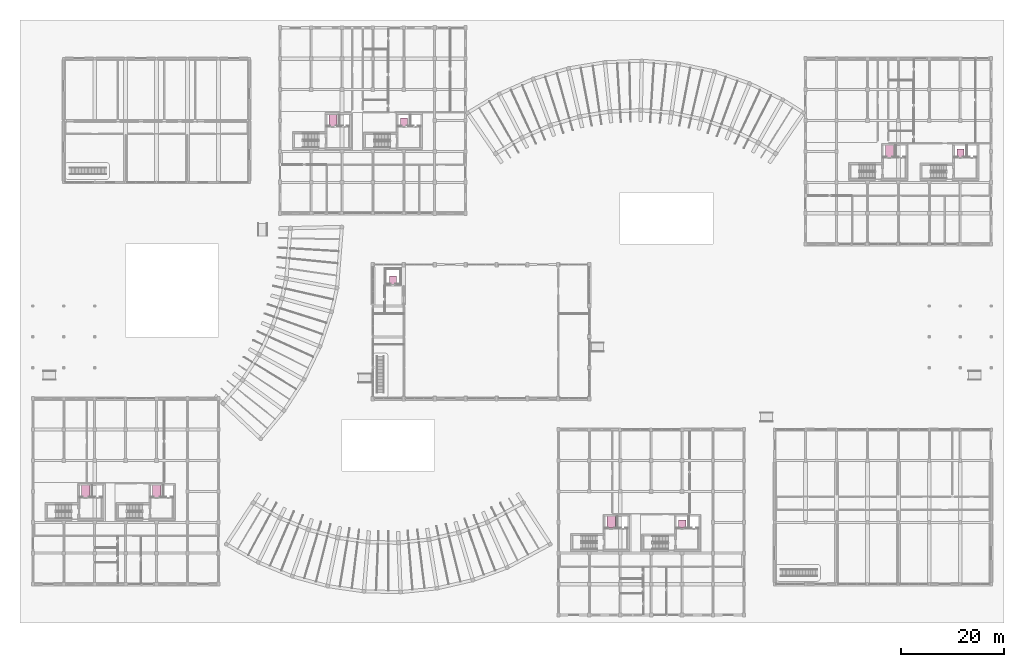
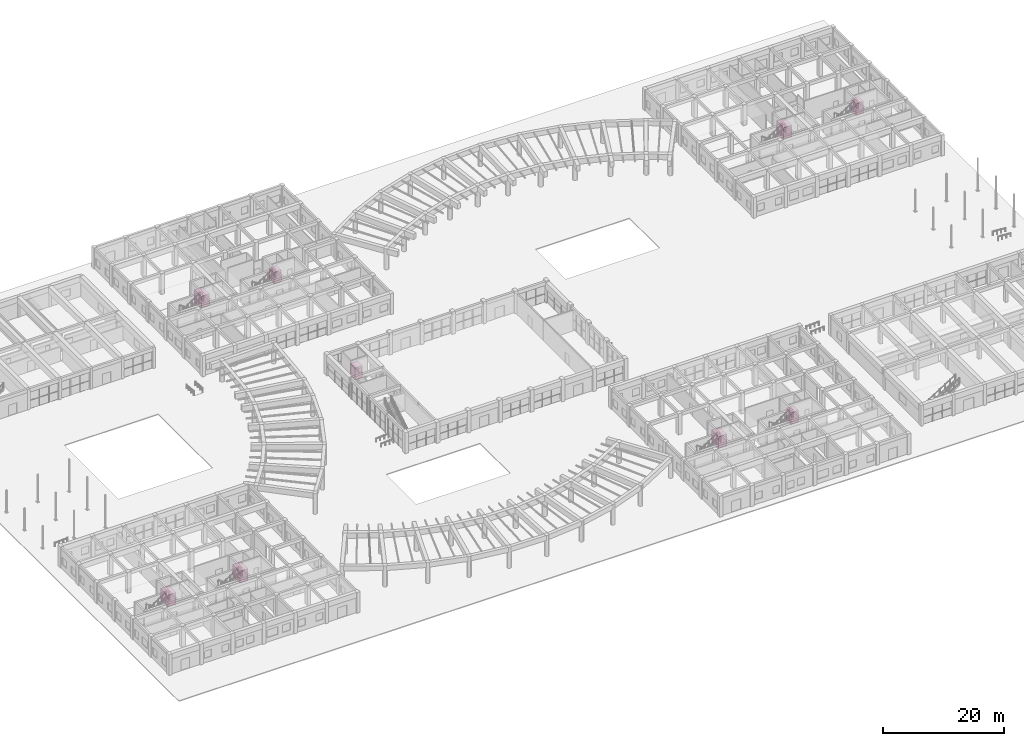
# One storey, part 76 of 76: 9 transport elements.
"""IFC4 building model written with IfcOpenShell, lengths in metres."""

import ifcopenshell
import ifcopenshell.guid

model = None  # the IFC model being written
_history = None  # IfcOwnerHistory: only IFC2X3 demands one
_inside = {}  # id of a spatial element -> (the spatial element, [elements in it])
_under = {}  # id of a project, library or spatial element -> (it, [spatial elements below it])
_declared = {}  # id of a project -> (the project, [libraries it declares])
_typed = {}  # id of a type object -> (the type object, [elements of that type])
_made_of = {}  # id of a material, layer set ... -> (it, [elements and type objects made of it])


def new_model(schema):
    """Start an empty IFC model of exactly this schema.

    Asked for "IFC4X3", IfcOpenShell would pick the latest addendum, in which some entities
    have other attributes; the version numbers below select the first issue.
    IFC2X3 requires an IfcOwnerHistory on every rooted entity: one is made here for all.
    """
    global model, _history
    if schema == "IFC4X3":
        model = ifcopenshell.file(schema_version=(4, 3, 0, 0))
    else:
        model = ifcopenshell.file(schema=schema)
    _inside.clear()
    _under.clear()
    _declared.clear()
    _typed.clear()
    _made_of.clear()
    _history = None
    if model.schema == "IFC2X3":
        org = make("IfcOrganization", Name="unknown")
        user = make(
            "IfcPersonAndOrganization",
            ThePerson=make("IfcPerson", FamilyName="unknown"),
            TheOrganization=org,
        )
        app = make(
            "IfcApplication",
            ApplicationDeveloper=org,
            Version="unknown",
            ApplicationFullName="unknown",
            ApplicationIdentifier="unknown",
        )
        _history = make(
            "IfcOwnerHistory",
            OwningUser=user,
            OwningApplication=app,
            ChangeAction="ADDED",
            CreationDate=0,
        )
    return model


def make(cls, **values):
    """One entity of the class cls with the attributes given. An attribute that is None is left unset."""
    return model.create_entity(
        cls, **{name: value for name, value in values.items() if value is not None}
    )


def rooted(cls, **values):
    """An entity with a GlobalId (a new one), such as an element, a storey or a relation."""
    return make(cls, GlobalId=ifcopenshell.guid.new(), OwnerHistory=_history, **values)


def si_unit(unit_type, name, prefix=None):
    """IfcSIUnit, for example si_unit("LENGTHUNIT", "METRE", prefix="MILLI")."""
    return make("IfcSIUnit", UnitType=unit_type, Prefix=prefix, Name=name)


def assignment(units):
    """IfcUnitAssignment: the units of a project."""
    return None if units is None else make("IfcUnitAssignment", Units=units)


def point(xyz):
    """IfcCartesianPoint."""
    return None if xyz is None else make("IfcCartesianPoint", Coordinates=xyz)


def direction(xyz):
    """IfcDirection."""
    return None if xyz is None else make("IfcDirection", DirectionRatios=xyz)


def frame(location, z_axis=None, x_axis=None):
    """IfcAxis2Placement3D, a coordinate frame: its origin and axes. An axis left out is left unset."""
    return make(
        "IfcAxis2Placement3D",
        Location=point(location),
        Axis=direction(z_axis),
        RefDirection=direction(x_axis),
    )


def frame_2d(location, x_axis=None):
    """IfcAxis2Placement2D, a coordinate frame in the plane: its origin and x axis."""
    return make(
        "IfcAxis2Placement2D", Location=point(location), RefDirection=direction(x_axis)
    )


def origin():
    """The frame at (0, 0, 0) with its axes left unset."""
    return frame((0.0, 0.0, 0.0))


def origin_2d():
    """The frame at (0, 0) in the plane with its x axis left unset."""
    return frame_2d((0.0, 0.0))


def place(relative_to, where):
    """IfcLocalPlacement: puts the frame where relative to a parent placement (None: the world)."""
    return make(
        "IfcLocalPlacement", PlacementRelTo=relative_to, RelativePlacement=where
    )


def context(
    kind, dimensions, precision=None, world=None, true_north=None, identifier=None
):
    """IfcGeometricRepresentationContext, for example the 3D "Model" context."""
    return make(
        "IfcGeometricRepresentationContext",
        ContextIdentifier=identifier,
        ContextType=kind,
        CoordinateSpaceDimension=dimensions,
        Precision=precision,
        WorldCoordinateSystem=world,
        TrueNorth=true_north,
    )


def subcontext(parent, identifier, kind, view, scale=None):
    """IfcGeometricRepresentationSubContext, for example "Body" below "Model"."""
    return make(
        "IfcGeometricRepresentationSubContext",
        ContextIdentifier=identifier,
        ContextType=kind,
        ParentContext=parent,
        TargetScale=scale,
        TargetView=view,
    )


def project(units=None, contexts=None):
    """IfcProject with its units and contexts."""
    return rooted(
        "IfcProject",
        Name="project",
        RepresentationContexts=contexts,
        UnitsInContext=assignment(units),
    )


def spatial(cls, under=None, at=None, **own):
    """A site, building, storey or space (cls), placed at a placement, below another one or the project."""
    s = rooted(cls, ObjectPlacement=at, **own)
    if under is not None:
        _under.setdefault(under.id(), (under, []))[1].append(s)
    return s


def profile(cls, at=None, kind="AREA", **sizes):
    """A parametric profile (cls). Its sizes go by their IFC names, for example OverallWidth=200.0."""
    return make(cls, ProfileType=kind, Position=at, **sizes)


def rectangle(**sizes):
    """IfcRectangleProfileDef."""
    return profile("IfcRectangleProfileDef", **sizes)


def extrude(swept, where, along, depth):
    """IfcExtrudedAreaSolid: the profile swept, set in the frame where, extruded along a direction by depth."""
    return make(
        "IfcExtrudedAreaSolid",
        SweptArea=swept,
        Position=where,
        ExtrudedDirection=direction(along),
        Depth=depth,
    )


def shape(context_of_items, identifier, shape_type, items):
    """IfcShapeRepresentation: the items that make up one representation, for example the "Body"."""
    return make(
        "IfcShapeRepresentation",
        ContextOfItems=context_of_items,
        RepresentationIdentifier=identifier,
        RepresentationType=shape_type,
        Items=items,
    )


def material(Name=None, Category=None):
    """IfcMaterial."""
    return make("IfcMaterial", Name=Name, Category=Category)


def made_of(thing, what):
    """Note that an element or type object is made of a material, layer set ...; save() writes the relation."""
    if what is not None:
        _made_of.setdefault(what.id(), (what, []))[1].append(thing)
    return thing


def type_object(cls, material=None, **own):
    """A type object (cls), such as IfcWallType, which elements share."""
    return made_of(rooted(cls, **own), material)


def element(
    cls,
    number,
    at=None,
    inside=None,
    cuts=None,
    type_object=None,
    material=None,
    context=None,
    identifier="Body",
    shape_type=None,
    held_by="IfcProductDefinitionShape",
    body=None,
    shapes=None,
    **own,
):
    """One element of the class cls, such as IfcWall. Its Tag is "e" and its number.

    at: its placement. inside: the storey or other place that contains it. cuts: it is an
    opening in that element (IfcRelVoidsElement). A single representation is given by context,
    identifier, shape_type and body (its items); several are given by shapes. held_by: the class
    of the entity that holds the representations. save() writes the other relations.
    """
    e = rooted(cls, Tag="e%d" % number, ObjectPlacement=at, **own)
    if body is not None:
        shapes = [shape(context, identifier, shape_type, body)]
    if shapes is not None:
        e.Representation = make(held_by, Representations=shapes)
    if inside is not None:
        _inside.setdefault(inside.id(), (inside, []))[1].append(e)
    if cuts is not None:
        rooted(
            "IfcRelVoidsElement", RelatingBuildingElement=cuts, RelatedOpeningElement=e
        )
    if type_object is not None:
        _typed.setdefault(type_object.id(), (type_object, []))[1].append(e)
    return made_of(e, material)


def aggregate(whole, parts):
    """IfcRelAggregates: a whole, such as a stair, and the parts it consists of."""
    return rooted("IfcRelAggregates", RelatingObject=whole, RelatedObjects=parts)


def save(model, path):
    """Write the relations noted so far, then the file.

    IfcRelAggregates (storeys below a building ...), IfcRelContainedInSpatialStructure (elements
    in a storey), IfcRelDefinesByType, IfcRelAssociatesMaterial and IfcRelDeclares: one each for
    every whole, place, type object, material and project.
    """
    for whole, parts in _under.values():
        aggregate(whole, parts)
    for where, things in _inside.values():
        rooted(
            "IfcRelContainedInSpatialStructure",
            RelatedElements=things,
            RelatingStructure=where,
        )
    for kind, things in _typed.values():
        rooted("IfcRelDefinesByType", RelatedObjects=things, RelatingType=kind)
    for what, things in _made_of.values():
        rooted("IfcRelAssociatesMaterial", RelatedObjects=things, RelatingMaterial=what)
    for by, libraries in _declared.values():
        rooted("IfcRelDeclares", RelatingContext=by, RelatedDefinitions=libraries)
    model.write(path)


model = new_model("IFC4")

# Units and contexts
model_context = context("Model", 3, precision=1e-05, world=origin(), true_north=direction((0.0, 1.0)))
body_context = subcontext(model_context, "Body", "Model", "MODEL_VIEW")
ifc_project = project(units=[si_unit("LENGTHUNIT", "METRE"), si_unit("AREAUNIT", "SQUARE_METRE"), si_unit("VOLUMEUNIT", "CUBIC_METRE"), si_unit("PLANEANGLEUNIT", "RADIAN"), si_unit("MASSUNIT", "GRAM", prefix="KILO"), si_unit("POWERUNIT", "WATT"), si_unit("THERMODYNAMICTEMPERATUREUNIT", "KELVIN")], contexts=[model_context])

# Site, building, storey
site_placement = place(None, origin())
site = spatial("IfcSite", under=ifc_project, at=site_placement, CompositionType="ELEMENT")
building_placement = place(site_placement, origin())
building = spatial("IfcBuilding", under=site, at=building_placement, Name="Ruvembo Vaulted Housing Court", CompositionType="ELEMENT")
storey_placement = place(building_placement, origin())
storey = spatial("IfcBuildingStorey", under=building, at=storey_placement, Name="L00", CompositionType="ELEMENT", Elevation=0.0)

# Transport elements
ifc_material = material(Name="Brushed Stainless Steel 304", Category="steel")
transport_element_type_1 = type_object("IfcTransportElementType", Name="LIFT-ACC-1000", PredefinedType="ELEVATOR", material=ifc_material)
for number, where, z_axis, x_axis, name in (
    (1, (72.050048828125, 95.64990234375, 0.0), (0.0, 0.0, 1.0), (1.0, 0.0, 0.0), "Passenger Lift LP-B2"),
    (2, (126.050048828125, 17.64990234375, 0.0), (0.0, 0.0, 1.0), (1.0, 0.0, 0.0), "Passenger Lift LP-C2"),
    (3, (180.050048828125, 89.64990234375, 0.0), (0.0, 0.0, 1.0), (1.0, 0.0, 0.0), "Passenger Lift LP-D2"),
    (4, (69.89990234375, 65.0, 0.0), (0.0, 0.0, 1.0), (1.0, 0.0, 0.0), "Community Hall Accessible Lift LP-H1"),
):
    element("IfcTransportElement", number, at=place(storey_placement, frame(where, z_axis=z_axis, x_axis=x_axis)), inside=storey, type_object=transport_element_type_1, Name=name, PredefinedType="ELEVATOR", context=body_context, shape_type="SweptSolid", body=[
        extrude(rectangle(XDim=1.39990234375, YDim=1.60009765625, at=origin_2d()), origin(), (0.0, 0.0, 1.0), 2.39990234375),
    ])
transport_element_type_2 = type_object("IfcTransportElementType", Name="LIFT-FSAE-1350", PredefinedType="ELEVATOR", material=ifc_material)
for number, where, z_axis, x_axis, name in (
    (5, (10.25, 24.050048828125, 0.0), (0.0, 0.0, 1.0), (1.0, 0.0, 0.0), "Passenger Lift FL-A1"),
    (6, (24.050048828125, 24.050048828125, 0.0), (0.0, 0.0, 1.0), (1.0, 0.0, 0.0), "Passenger Lift FL-A2"),
):
    element("IfcTransportElement", number, at=place(storey_placement, frame(where, z_axis=z_axis, x_axis=x_axis)), inside=storey, type_object=transport_element_type_2, Name=name, PredefinedType="ELEVATOR", context=body_context, shape_type="SweptSolid", body=[
        extrude(rectangle(XDim=1.60009765625, YDim=2.39990234375, at=origin_2d()), origin(), (0.0, 0.0, 1.0), 2.39990234375),
    ])
transport_element_type_3 = type_object("IfcTransportElementType", Name="LIFT-STR-1275", PredefinedType="ELEVATOR", material=ifc_material)
for number, where, z_axis, x_axis, name in (
    (7, (58.25, 96.050048828125, 0.0), (0.0, 0.0, 1.0), (1.0, 0.0, 0.0), "Passenger Lift LP-B1"),
    (8, (112.25, 18.050048828125, 0.0), (0.0, 0.0, 1.0), (1.0, 0.0, 0.0), "Passenger Lift LP-C1"),
    (9, (166.25, 90.050048828125, 0.0), (0.0, 0.0, 1.0), (1.0, 0.0, 0.0), "Passenger Lift LP-D1"),
):
    element("IfcTransportElement", number, at=place(storey_placement, frame(where, z_axis=z_axis, x_axis=x_axis)), inside=storey, type_object=transport_element_type_3, Name=name, PredefinedType="ELEVATOR", context=body_context, shape_type="SweptSolid", body=[
        extrude(rectangle(XDim=1.60009765625, YDim=2.39990234375, at=origin_2d()), origin(), (0.0, 0.0, 1.0), 2.39990234375),
    ])

save(model, "model.ifc")
